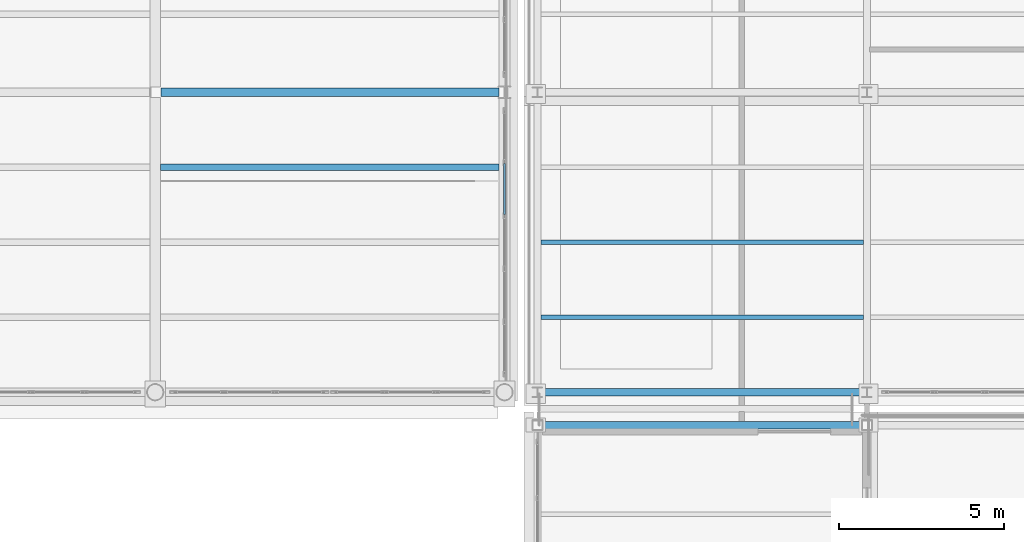
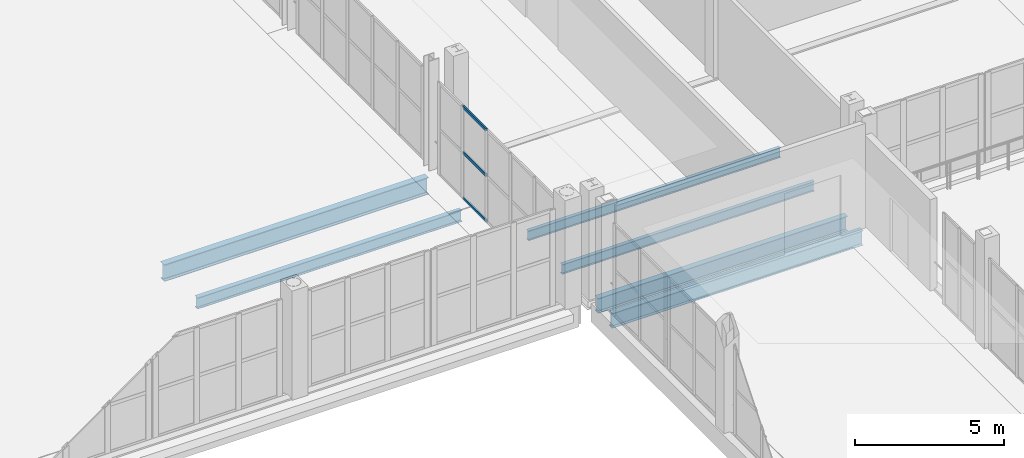
# One storey, part 83 of 156: 6 beams, 3 members, 1 element without a shape of its own.
"""IFC4 building model written with IfcOpenShell, lengths in metres."""

from ifc_helpers import new_model, si_unit, direction, frame, origin, origin_2d, place, context, subcontext, project, spatial, hollow_rectangle, i_section, extrude, material, material_profile, profile_set, type_object, element, aggregate, save


model = new_model("IFC4")

# Units and contexts
model_context = context("Model", 3, precision=1e-05, world=origin(), true_north=direction((0.0, 1.0)))
body_context = subcontext(model_context, "Body", "Model", "MODEL_VIEW")
ifc_project = project(units=[si_unit("LENGTHUNIT", "METRE"), si_unit("AREAUNIT", "SQUARE_METRE"), si_unit("VOLUMEUNIT", "CUBIC_METRE"), si_unit("PLANEANGLEUNIT", "RADIAN"), si_unit("MASSUNIT", "GRAM", prefix="KILO")], contexts=[model_context])

# Site, building, storey
site_placement = place(None, origin())
site = spatial("IfcSite", under=ifc_project, at=site_placement, CompositionType="ELEMENT")
building_placement = place(site_placement, origin())
building = spatial("IfcBuilding", under=site, at=building_placement, Name="Caurita Quay Ferry Terminal", CompositionType="ELEMENT")
storey_placement = place(building_placement, frame((0.0, 0.0, 5.39990234375)))
storey = spatial("IfcBuildingStorey", under=building, at=storey_placement, Name="L01", CompositionType="ELEMENT", Elevation=5.39990234375)

# Beams
ifc_material_1 = material(Name="Structural steel ASTM A992 Gr. 50", Category="steel")
ifc_material_profile_1 = material_profile(ifc_material_1, i_section(OverallWidth=0.22802734375, OverallDepth=0.60205078125, WebThickness=0.010498046875, FlangeThickness=0.014892578125, at=origin_2d()), Name="W24X68")
ifc_profile_set_1 = profile_set([ifc_material_profile_1], Name="Structural steel ASTM A992 Gr. 50")
beam_type_1 = type_object("IfcBeamType", Name="BM-GR-W24C", PredefinedType="BEAM", material=ifc_profile_set_1)
beam_1_placement = place(storey_placement, frame((132.95751953125, 34.60009765625, -0.535888671875), z_axis=(1.0, 0.0, 0.0), x_axis=(0.0, 1.0, 0.0)))
element("IfcBeam", 1, at=beam_1_placement, inside=storey, type_object=beam_type_1, Name="L01 Beam BM-V3H-L01-X-1330-346", PredefinedType="BEAM", context=body_context, shape_type="SweptSolid", body=[
    extrude(i_section(OverallWidth=0.22802734375, OverallDepth=0.60205078125, WebThickness=0.010498046875, FlangeThickness=0.014892578125, at=origin_2d()), origin(), (0.0, 0.0, 1.0), 9.684814453125),
])
beam_2_placement = place(storey_placement, frame((132.929443359375, 33.60009765625, -0.535888671875), z_axis=(1.0, 0.0, 0.0), x_axis=(0.0, 1.0, 0.0)))
element("IfcBeam", 2, at=beam_2_placement, inside=storey, type_object=beam_type_1, Name="L01 Beam BM-V3P-L01-X-1329-336", PredefinedType="BEAM", context=body_context, shape_type="SweptSolid", body=[
    extrude(i_section(OverallWidth=0.22802734375, OverallDepth=0.60205078125, WebThickness=0.010498046875, FlangeThickness=0.014892578125, at=origin_2d()), origin(), (0.0, 0.0, 1.0), 9.740966796875),
])
ifc_material_profile_2 = material_profile(ifc_material_1, i_section(OverallWidth=0.256591796875, OverallDepth=0.693359375, WebThickness=0.014404296875, FlangeThickness=0.023681640625, FilletRadius=0.017822265625, at=origin_2d()), Name="W27X114")
ifc_profile_set_2 = profile_set([ifc_material_profile_2], Name="Structural steel ASTM A992 Gr. 50")
beam_type_2 = type_object("IfcBeamType", Name="BM-GR-W27A", PredefinedType="BEAM", material=ifc_profile_set_2)
beam_3_placement = place(storey_placement, frame((121.368408203125, 43.699951171875, -0.646484375), z_axis=(1.0, 0.0, 0.0), x_axis=(0.0, 1.0, 0.0)))
element("IfcBeam", 3, at=beam_3_placement, inside=storey, type_object=beam_type_2, Name="L01 Beam BM-V2-L01-X-1214-437", PredefinedType="BEAM", context=body_context, shape_type="SweptSolid", body=[
    extrude(i_section(OverallWidth=0.256591796875, OverallDepth=0.693359375, WebThickness=0.014404296875, FlangeThickness=0.023681640625, FilletRadius=0.017822265625, at=origin_2d()), origin(), (0.0, 0.0, 1.0), 10.26220703125),
])
ifc_material_profile_3 = material_profile(ifc_material_1, i_section(OverallWidth=0.139892578125, OverallDepth=0.39892578125, WebThickness=0.00634765625, FlangeThickness=0.0087890625, at=origin_2d()), Name="W16X26")
ifc_profile_set_3 = profile_set([ifc_material_profile_3], Name="Structural steel ASTM A992 Gr. 50")
beam_type_3 = type_object("IfcBeamType", Name="BM-JS-W16C", PredefinedType="JOIST", material=ifc_profile_set_3)
for number, where, z_axis, x_axis, name in (
    (4, (132.905517578125, 36.875, -0.434326171875), (1.0, 0.0, 0.0), (0.0, 1.0, 0.0), "L01 Beam JS-V3H-L01-001"),
    (5, (132.905517578125, 39.14990234375, -0.434326171875), (1.0, 0.0, 0.0), (0.0, 1.0, 0.0), "L01 Beam JS-V3H-L01-002"),
):
    element("IfcBeam", number, at=place(storey_placement, frame(where, z_axis=z_axis, x_axis=x_axis)), inside=storey, type_object=beam_type_3, Name=name, PredefinedType="JOIST", context=body_context, shape_type="SweptSolid", body=[
        extrude(i_section(OverallWidth=0.139892578125, OverallDepth=0.39892578125, WebThickness=0.00634765625, FlangeThickness=0.0087890625, at=origin_2d()), origin(), (0.0, 0.0, 1.0), 9.7890625),
    ])
ifc_material_profile_4 = material_profile(ifc_material_1, i_section(OverallWidth=0.1904296875, OverallDepth=0.457275390625, WebThickness=0.009033203125, FlangeThickness=0.014404296875, FilletRadius=0.0126953125, at=origin_2d()), Name="W18X50")
ifc_profile_set_4 = profile_set([ifc_material_profile_4], Name="Structural steel ASTM A992 Gr. 50")
beam_type_4 = type_object("IfcBeamType", Name="BM-JS-W18B", PredefinedType="JOIST", material=ifc_profile_set_4)
beam_4_placement = place(storey_placement, frame((121.362548828125, 41.425048828125, -0.528564453125), z_axis=(1.0, 0.0, 0.0), x_axis=(0.0, 1.0, 0.0)))
element("IfcBeam", 6, at=beam_4_placement, inside=storey, type_object=beam_type_4, Name="L01 Beam JS-V2-L01-033", PredefinedType="JOIST", context=body_context, shape_type="SweptSolid", body=[
    extrude(i_section(OverallWidth=0.1904296875, OverallDepth=0.457275390625, WebThickness=0.009033203125, FlangeThickness=0.014404296875, FilletRadius=0.0126953125, at=origin_2d()), origin(), (0.0, 0.0, 1.0), 10.27490234375),
])

# Curtain wall, members
ifc_material_2 = material(Name="Laminated solar-control insulated glass", Category="glass")
curtain_wall_type = type_object("IfcCurtainWallType", Name="CW-SYS-11", PredefinedType="NOTDEFINED", material=ifc_material_2)
curtain_wall_placement = place(storey_placement, origin())
curtain_wall = element("IfcCurtainWall", 7, at=curtain_wall_placement, inside=storey, type_object=curtain_wall_type, Name="Concourse Gable Curtain Wall 086", PredefinedType="NOTDEFINED")
ifc_material_3 = material(Name="Anodized aluminium 6063-T6", Category="aluminium")
ifc_material_profile_5 = material_profile(ifc_material_3, hollow_rectangle(XDim=0.06005859375, YDim=0.114990234375, WallThickness=0.00341796875, at=origin_2d()), Name="ALU-TRN-60X115")
ifc_profile_set_5 = profile_set([ifc_material_profile_5], Name="Anodized aluminium 6063-T6")
member_type = type_object("IfcMemberType", Name="CW-TRN-115", PredefinedType="USERDEFINED", material=ifc_profile_set_5)
member_1_placement = place(storey_placement, frame((131.800048828125, 39.986572265625, 0.030029296875), z_axis=(0.0, 1.0, 0.0), x_axis=(-1.0, 0.0, 0.0)))
member_1 = element("IfcMember", 8, at=member_1_placement, type_object=member_type, Name="CW-GBL-086 Transom 10", ObjectType="TRANSOM", PredefinedType="USERDEFINED", context=body_context, shape_type="SweptSolid", body=[
    extrude(hollow_rectangle(XDim=0.06005859375, YDim=0.114990234375, WallThickness=0.00341796875, at=origin_2d()), origin(), (0.0, 0.0, 1.0), 1.551025390625),
])
member_2_placement = place(storey_placement, frame((131.800048828125, 39.986572265625, 1.900146484375), z_axis=(0.0, 1.0, 0.0), x_axis=(-1.0, 0.0, 0.0)))
member_2 = element("IfcMember", 9, at=member_2_placement, type_object=member_type, Name="CW-GBL-086 Transom 11", ObjectType="TRANSOM", PredefinedType="USERDEFINED", context=body_context, shape_type="SweptSolid", body=[
    extrude(hollow_rectangle(XDim=0.06005859375, YDim=0.114990234375, WallThickness=0.00341796875, at=origin_2d()), origin(), (0.0, 0.0, 1.0), 1.551025390625),
])
member_3_placement = place(storey_placement, frame((131.800048828125, 39.986572265625, 3.77001953125), z_axis=(0.0, 1.0, 0.0), x_axis=(-1.0, 0.0, 0.0)))
member_3 = element("IfcMember", 10, at=member_3_placement, type_object=member_type, Name="CW-GBL-086 Transom 12", ObjectType="TRANSOM", PredefinedType="USERDEFINED", context=body_context, shape_type="SweptSolid", body=[
    extrude(hollow_rectangle(XDim=0.06005859375, YDim=0.114990234375, WallThickness=0.00341796875, at=origin_2d()), origin(), (0.0, 0.0, 1.0), 1.551025390625),
])
aggregate(curtain_wall, [member_1, member_2, member_3])

save(model, "model.ifc")
